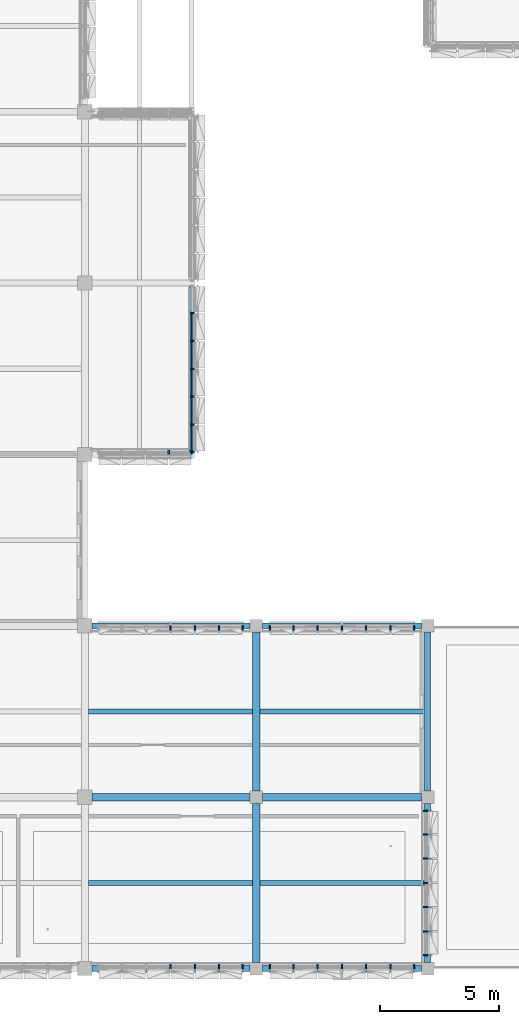
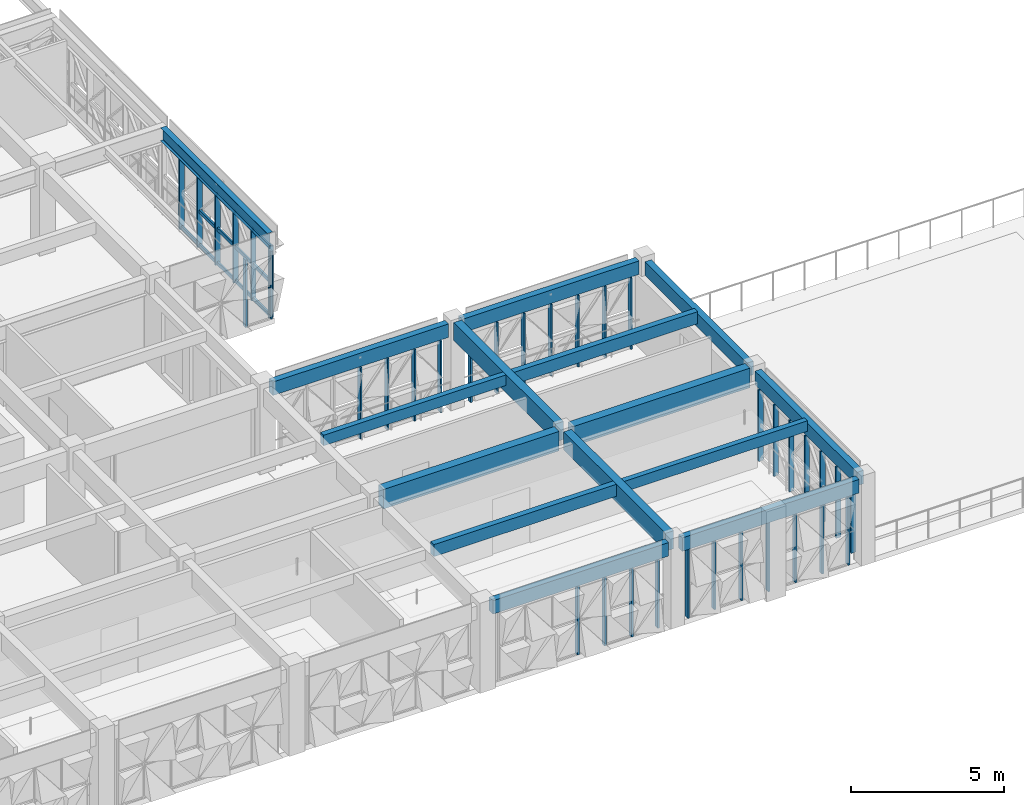
# One storey, part 4 of 99: 50 members, 15 beams, 7 elements without a shape of their own.
"""IFC4 building model written with IfcOpenShell, lengths in metres."""

import ifcopenshell
import ifcopenshell.guid

model = None  # the IFC model being written
_history = None  # IfcOwnerHistory: only IFC2X3 demands one
_inside = {}  # id of a spatial element -> (the spatial element, [elements in it])
_under = {}  # id of a project, library or spatial element -> (it, [spatial elements below it])
_declared = {}  # id of a project -> (the project, [libraries it declares])
_typed = {}  # id of a type object -> (the type object, [elements of that type])
_made_of = {}  # id of a material, layer set ... -> (it, [elements and type objects made of it])


def new_model(schema):
    """Start an empty IFC model of exactly this schema.

    Asked for "IFC4X3", IfcOpenShell would pick the latest addendum, in which some entities
    have other attributes; the version numbers below select the first issue.
    IFC2X3 requires an IfcOwnerHistory on every rooted entity: one is made here for all.
    """
    global model, _history
    if schema == "IFC4X3":
        model = ifcopenshell.file(schema_version=(4, 3, 0, 0))
    else:
        model = ifcopenshell.file(schema=schema)
    _inside.clear()
    _under.clear()
    _declared.clear()
    _typed.clear()
    _made_of.clear()
    _history = None
    if model.schema == "IFC2X3":
        org = make("IfcOrganization", Name="unknown")
        user = make(
            "IfcPersonAndOrganization",
            ThePerson=make("IfcPerson", FamilyName="unknown"),
            TheOrganization=org,
        )
        app = make(
            "IfcApplication",
            ApplicationDeveloper=org,
            Version="unknown",
            ApplicationFullName="unknown",
            ApplicationIdentifier="unknown",
        )
        _history = make(
            "IfcOwnerHistory",
            OwningUser=user,
            OwningApplication=app,
            ChangeAction="ADDED",
            CreationDate=0,
        )
    return model


def make(cls, **values):
    """One entity of the class cls with the attributes given. An attribute that is None is left unset."""
    return model.create_entity(
        cls, **{name: value for name, value in values.items() if value is not None}
    )


def rooted(cls, **values):
    """An entity with a GlobalId (a new one), such as an element, a storey or a relation."""
    return make(cls, GlobalId=ifcopenshell.guid.new(), OwnerHistory=_history, **values)


def si_unit(unit_type, name, prefix=None):
    """IfcSIUnit, for example si_unit("LENGTHUNIT", "METRE", prefix="MILLI")."""
    return make("IfcSIUnit", UnitType=unit_type, Prefix=prefix, Name=name)


def assignment(units):
    """IfcUnitAssignment: the units of a project."""
    return None if units is None else make("IfcUnitAssignment", Units=units)


def point(xyz):
    """IfcCartesianPoint."""
    return None if xyz is None else make("IfcCartesianPoint", Coordinates=xyz)


def direction(xyz):
    """IfcDirection."""
    return None if xyz is None else make("IfcDirection", DirectionRatios=xyz)


def frame(location, z_axis=None, x_axis=None):
    """IfcAxis2Placement3D, a coordinate frame: its origin and axes. An axis left out is left unset."""
    return make(
        "IfcAxis2Placement3D",
        Location=point(location),
        Axis=direction(z_axis),
        RefDirection=direction(x_axis),
    )


def frame_2d(location, x_axis=None):
    """IfcAxis2Placement2D, a coordinate frame in the plane: its origin and x axis."""
    return make(
        "IfcAxis2Placement2D", Location=point(location), RefDirection=direction(x_axis)
    )


def origin():
    """The frame at (0, 0, 0) with its axes left unset."""
    return frame((0.0, 0.0, 0.0))


def origin_2d():
    """The frame at (0, 0) in the plane with its x axis left unset."""
    return frame_2d((0.0, 0.0))


def place(relative_to, where):
    """IfcLocalPlacement: puts the frame where relative to a parent placement (None: the world)."""
    return make(
        "IfcLocalPlacement", PlacementRelTo=relative_to, RelativePlacement=where
    )


def context(
    kind, dimensions, precision=None, world=None, true_north=None, identifier=None
):
    """IfcGeometricRepresentationContext, for example the 3D "Model" context."""
    return make(
        "IfcGeometricRepresentationContext",
        ContextIdentifier=identifier,
        ContextType=kind,
        CoordinateSpaceDimension=dimensions,
        Precision=precision,
        WorldCoordinateSystem=world,
        TrueNorth=true_north,
    )


def subcontext(parent, identifier, kind, view, scale=None):
    """IfcGeometricRepresentationSubContext, for example "Body" below "Model"."""
    return make(
        "IfcGeometricRepresentationSubContext",
        ContextIdentifier=identifier,
        ContextType=kind,
        ParentContext=parent,
        TargetScale=scale,
        TargetView=view,
    )


def project(units=None, contexts=None):
    """IfcProject with its units and contexts."""
    return rooted(
        "IfcProject",
        Name="project",
        RepresentationContexts=contexts,
        UnitsInContext=assignment(units),
    )


def spatial(cls, under=None, at=None, **own):
    """A site, building, storey or space (cls), placed at a placement, below another one or the project."""
    s = rooted(cls, ObjectPlacement=at, **own)
    if under is not None:
        _under.setdefault(under.id(), (under, []))[1].append(s)
    return s


def profile(cls, at=None, kind="AREA", **sizes):
    """A parametric profile (cls). Its sizes go by their IFC names, for example OverallWidth=200.0."""
    return make(cls, ProfileType=kind, Position=at, **sizes)


def rectangle(**sizes):
    """IfcRectangleProfileDef."""
    return profile("IfcRectangleProfileDef", **sizes)


def i_section(**sizes):
    """IfcIShapeProfileDef."""
    return profile("IfcIShapeProfileDef", **sizes)


def extrude(swept, where, along, depth):
    """IfcExtrudedAreaSolid: the profile swept, set in the frame where, extruded along a direction by depth."""
    return make(
        "IfcExtrudedAreaSolid",
        SweptArea=swept,
        Position=where,
        ExtrudedDirection=direction(along),
        Depth=depth,
    )


def shape(context_of_items, identifier, shape_type, items):
    """IfcShapeRepresentation: the items that make up one representation, for example the "Body"."""
    return make(
        "IfcShapeRepresentation",
        ContextOfItems=context_of_items,
        RepresentationIdentifier=identifier,
        RepresentationType=shape_type,
        Items=items,
    )


def material(Name=None, Category=None):
    """IfcMaterial."""
    return make("IfcMaterial", Name=Name, Category=Category)


def material_profile(
    of_material, cross_section, Name=None, Category=None, Priority=None
):
    """IfcMaterialProfile: a cross section and its material."""
    return make(
        "IfcMaterialProfile",
        Name=Name,
        Material=of_material,
        Profile=cross_section,
        Priority=Priority,
        Category=Category,
    )


def profile_set(profiles, Name=None, composite=None):
    """IfcMaterialProfileSet."""
    return make(
        "IfcMaterialProfileSet",
        Name=Name,
        MaterialProfiles=profiles,
        CompositeProfile=composite,
    )


def made_of(thing, what):
    """Note that an element or type object is made of a material, layer set ...; save() writes the relation."""
    if what is not None:
        _made_of.setdefault(what.id(), (what, []))[1].append(thing)
    return thing


def type_object(cls, material=None, **own):
    """A type object (cls), such as IfcWallType, which elements share."""
    return made_of(rooted(cls, **own), material)


def element(
    cls,
    number,
    at=None,
    inside=None,
    cuts=None,
    type_object=None,
    material=None,
    context=None,
    identifier="Body",
    shape_type=None,
    held_by="IfcProductDefinitionShape",
    body=None,
    shapes=None,
    **own,
):
    """One element of the class cls, such as IfcWall. Its Tag is "e" and its number.

    at: its placement. inside: the storey or other place that contains it. cuts: it is an
    opening in that element (IfcRelVoidsElement). A single representation is given by context,
    identifier, shape_type and body (its items); several are given by shapes. held_by: the class
    of the entity that holds the representations. save() writes the other relations.
    """
    e = rooted(cls, Tag="e%d" % number, ObjectPlacement=at, **own)
    if body is not None:
        shapes = [shape(context, identifier, shape_type, body)]
    if shapes is not None:
        e.Representation = make(held_by, Representations=shapes)
    if inside is not None:
        _inside.setdefault(inside.id(), (inside, []))[1].append(e)
    if cuts is not None:
        rooted(
            "IfcRelVoidsElement", RelatingBuildingElement=cuts, RelatedOpeningElement=e
        )
    if type_object is not None:
        _typed.setdefault(type_object.id(), (type_object, []))[1].append(e)
    return made_of(e, material)


def aggregate(whole, parts):
    """IfcRelAggregates: a whole, such as a stair, and the parts it consists of."""
    return rooted("IfcRelAggregates", RelatingObject=whole, RelatedObjects=parts)


def save(model, path):
    """Write the relations noted so far, then the file.

    IfcRelAggregates (storeys below a building ...), IfcRelContainedInSpatialStructure (elements
    in a storey), IfcRelDefinesByType, IfcRelAssociatesMaterial and IfcRelDeclares: one each for
    every whole, place, type object, material and project.
    """
    for whole, parts in _under.values():
        aggregate(whole, parts)
    for where, things in _inside.values():
        rooted(
            "IfcRelContainedInSpatialStructure",
            RelatedElements=things,
            RelatingStructure=where,
        )
    for kind, things in _typed.values():
        rooted("IfcRelDefinesByType", RelatedObjects=things, RelatingType=kind)
    for what, things in _made_of.values():
        rooted("IfcRelAssociatesMaterial", RelatedObjects=things, RelatingMaterial=what)
    for by, libraries in _declared.values():
        rooted("IfcRelDeclares", RelatingContext=by, RelatedDefinitions=libraries)
    model.write(path)


model = new_model("IFC4")

# Units and contexts
model_context = context("Model", 3, precision=1e-05, world=origin(), true_north=direction((0.0, 1.0)))
body_context = subcontext(model_context, "Body", "Model", "MODEL_VIEW")
ifc_project = project(units=[si_unit("LENGTHUNIT", "METRE"), si_unit("AREAUNIT", "SQUARE_METRE"), si_unit("VOLUMEUNIT", "CUBIC_METRE"), si_unit("PLANEANGLEUNIT", "RADIAN"), si_unit("MASSUNIT", "GRAM", prefix="KILO")], contexts=[model_context])

# Site, building, storey
site_placement = place(None, origin())
site = spatial("IfcSite", under=ifc_project, at=site_placement, CompositionType="ELEMENT")
building_placement = place(site_placement, origin())
building = spatial("IfcBuilding", under=site, at=building_placement, Name="Alvorim Cloister Faculty of Sciences", CompositionType="ELEMENT")
storey_placement = place(building_placement, frame((0.0, 0.0, 12.14990234375)))
storey = spatial("IfcBuildingStorey", under=building, at=storey_placement, Name="L03", CompositionType="ELEMENT", Elevation=12.14990234375)

# Beams
ifc_material_1 = material(Name="Glulam GL32h", Category="wood")
ifc_material_profile_1 = material_profile(ifc_material_1, rectangle(XDim=0.300048828125, YDim=0.719970703125, at=origin_2d()), Name="GL32-BM-300x720")
ifc_profile_set_1 = profile_set([ifc_material_profile_1], Name="Glulam GL32h")
beam_type_1 = type_object("IfcBeamType", Name="BM-GL-300x720", PredefinedType="BEAM", material=ifc_profile_set_1)
for number, where, z_axis, x_axis, name in (
    (1, (36.0, 0.260009765625, 3.130126953125), (0.0, 1.0, 0.0), (-1.0, 0.0, 0.0), "L03 Primary Girder BM-1642"),
    (2, (36.0, 7.4599609375, 3.130126953125), (0.0, 1.0, 0.0), (-1.0, 0.0, 0.0), "L03 Primary Girder BM-1643"),
):
    element("IfcBeam", number, at=place(storey_placement, frame(where, z_axis=z_axis, x_axis=x_axis)), inside=storey, type_object=beam_type_1, Name=name, PredefinedType="BEAM", context=body_context, shape_type="SweptSolid", body=[
        extrude(rectangle(XDim=0.300048828125, YDim=0.719970703125, at=origin_2d()), origin(), (0.0, 0.0, 1.0), 6.679931640625),
    ])
ifc_material_profile_2 = material_profile(ifc_material_1, rectangle(XDim=0.320068359375, YDim=0.780029296875, at=origin_2d()), Name="GL32-BM-320x780")
ifc_profile_set_2 = profile_set([ifc_material_profile_2], Name="Glulam GL32h")
beam_type_2 = type_object("IfcBeamType", Name="BM-GL-320x780", PredefinedType="BEAM", material=ifc_profile_set_2)
beam_1_placement = place(storey_placement, frame((29.10009765625, 7.199951171875, 3.10009765625), z_axis=(1.0, 0.0, 0.0), x_axis=(0.0, 1.0, 0.0)))
element("IfcBeam", 3, at=beam_1_placement, inside=storey, type_object=beam_type_2, Name="L03 Primary Beam BM-1517", PredefinedType="BEAM", context=body_context, shape_type="SweptSolid", body=[
    extrude(rectangle(XDim=0.320068359375, YDim=0.780029296875, at=origin_2d()), origin(), (0.0, 0.0, 1.0), 6.639892578125),
])
beam_2_placement = place(storey_placement, frame((36.260009765625, 7.199951171875, 3.10009765625), z_axis=(1.0, 0.0, 0.0), x_axis=(0.0, 1.0, 0.0)))
element("IfcBeam", 4, at=beam_2_placement, inside=storey, type_object=beam_type_2, Name="L03 Primary Beam BM-1518", PredefinedType="BEAM", context=body_context, shape_type="SweptSolid", body=[
    extrude(rectangle(XDim=0.320068359375, YDim=0.780029296875, at=origin_2d()), origin(), (0.0, 0.0, 1.0), 6.679931640625),
])
ifc_material_2 = material(Name="Glulam GL28h", Category="wood")
ifc_material_profile_3 = material_profile(ifc_material_2, rectangle(XDim=0.199951171875, YDim=0.419921875, at=origin_2d()), Name="GL28-JST-200x420")
ifc_profile_set_3 = profile_set([ifc_material_profile_3], Name="Glulam GL28h")
beam_type_3 = type_object("IfcBeamType", Name="BM-JST-GL-200x420", PredefinedType="JOIST", material=ifc_profile_set_3)
beam_3_placement = place(storey_placement, frame((28.949951171875, 10.800048828125, 3.280029296875), z_axis=(1.0, 0.0, 0.0), x_axis=(0.0, 1.0, 0.0)))
element("IfcBeam", 5, at=beam_3_placement, inside=storey, type_object=beam_type_3, Name="L03 Secondary Floor Joist BM-1709", PredefinedType="JOIST", context=body_context, shape_type="SweptSolid", body=[
    extrude(rectangle(XDim=0.199951171875, YDim=0.419921875, at=origin_2d()), origin(), (0.0, 0.0, 1.0), 6.900146484375),
])
beam_4_placement = place(storey_placement, frame((36.14990234375, 3.60009765625, 3.280029296875), z_axis=(1.0, 0.0, 0.0), x_axis=(0.0, 1.0, 0.0)))
element("IfcBeam", 6, at=beam_4_placement, inside=storey, type_object=beam_type_3, Name="L03 Secondary Floor Joist BM-1712", PredefinedType="JOIST", context=body_context, shape_type="SweptSolid", body=[
    extrude(rectangle(XDim=0.199951171875, YDim=0.419921875, at=origin_2d()), origin(), (0.0, 0.0, 1.0), 6.93017578125),
])
ifc_material_profile_4 = material_profile(ifc_material_2, rectangle(XDim=0.219970703125, YDim=0.47998046875, at=origin_2d()), Name="GL28-JST-220x480")
ifc_profile_set_4 = profile_set([ifc_material_profile_4], Name="Glulam GL28h")
beam_type_4 = type_object("IfcBeamType", Name="BM-JST-GL-220x480", PredefinedType="JOIST", material=ifc_profile_set_4)
beam_5_placement = place(storey_placement, frame((28.949951171875, 3.60009765625, 3.25), z_axis=(1.0, 0.0, 0.0), x_axis=(0.0, 1.0, 0.0)))
element("IfcBeam", 7, at=beam_5_placement, inside=storey, type_object=beam_type_4, Name="L03 Secondary Floor Joist BM-1708", PredefinedType="JOIST", context=body_context, shape_type="SweptSolid", body=[
    extrude(rectangle(XDim=0.219970703125, YDim=0.47998046875, at=origin_2d()), origin(), (0.0, 0.0, 1.0), 6.900146484375),
])
beam_6_placement = place(storey_placement, frame((36.14990234375, 10.800048828125, 3.25), z_axis=(1.0, 0.0, 0.0), x_axis=(0.0, 1.0, 0.0)))
element("IfcBeam", 8, at=beam_6_placement, inside=storey, type_object=beam_type_4, Name="L03 Secondary Floor Joist BM-1713", PredefinedType="JOIST", context=body_context, shape_type="SweptSolid", body=[
    extrude(rectangle(XDim=0.219970703125, YDim=0.47998046875, at=origin_2d()), origin(), (0.0, 0.0, 1.0), 6.93017578125),
])
ifc_material_profile_5 = material_profile(ifc_material_2, rectangle(XDim=0.239990234375, YDim=0.5400390625, at=origin_2d()), Name="GL28-SPD-240x540")
ifc_profile_set_5 = profile_set([ifc_material_profile_5], Name="Glulam GL28h")
beam_type_5 = type_object("IfcBeamType", Name="BM-SPD-GL-240x540", PredefinedType="SPANDREL", material=ifc_profile_set_5)
beam_7_placement = place(storey_placement, frame((29.10009765625, 0.0, 3.1201171875), z_axis=(1.0, 0.0, 0.0), x_axis=(0.0, 1.0, 0.0)))
element("IfcBeam", 9, at=beam_7_placement, inside=storey, type_object=beam_type_5, Name="L03 Primary Beam BM-1504", PredefinedType="SPANDREL", context=body_context, shape_type="SweptSolid", body=[
    extrude(rectangle(XDim=0.239990234375, YDim=0.5400390625, at=origin_2d()), origin(), (0.0, 0.0, 1.0), 6.639892578125),
])
beam_8_placement = place(storey_placement, frame((36.260009765625, 0.0, 3.1201171875), z_axis=(1.0, 0.0, 0.0), x_axis=(0.0, 1.0, 0.0)))
element("IfcBeam", 10, at=beam_8_placement, inside=storey, type_object=beam_type_5, Name="L03 Primary Beam BM-1505", PredefinedType="SPANDREL", context=body_context, shape_type="SweptSolid", body=[
    extrude(rectangle(XDim=0.239990234375, YDim=0.5400390625, at=origin_2d()), origin(), (0.0, 0.0, 1.0), 6.679931640625),
])
beam_9_placement = place(storey_placement, frame((29.10009765625, 14.39990234375, 3.1201171875), z_axis=(1.0, 0.0, 0.0), x_axis=(0.0, 1.0, 0.0)))
element("IfcBeam", 11, at=beam_9_placement, inside=storey, type_object=beam_type_5, Name="L03 Primary Beam BM-1525", PredefinedType="SPANDREL", context=body_context, shape_type="SweptSolid", body=[
    extrude(rectangle(XDim=0.239990234375, YDim=0.5400390625, at=origin_2d()), origin(), (0.0, 0.0, 1.0), 6.639892578125),
])
for number, where, z_axis, x_axis, name in (
    (12, (36.260009765625, 14.39990234375, 3.1201171875), (1.0, 0.0, 0.0), (0.0, 1.0, 0.0), "L03 Primary Beam BM-1526"),
    (13, (43.199951171875, 0.260009765625, 3.1201171875), (0.0, 1.0, 0.0), (-1.0, 0.0, 0.0), "L03 Primary Girder BM-1646"),
    (14, (43.199951171875, 7.4599609375, 3.1201171875), (0.0, 1.0, 0.0), (-1.0, 0.0, 0.0), "L03 Primary Girder BM-1647"),
):
    element("IfcBeam", number, at=place(storey_placement, frame(where, z_axis=z_axis, x_axis=x_axis)), inside=storey, type_object=beam_type_5, Name=name, PredefinedType="SPANDREL", context=body_context, shape_type="SweptSolid", body=[
        extrude(rectangle(XDim=0.239990234375, YDim=0.5400390625, at=origin_2d()), origin(), (0.0, 0.0, 1.0), 6.679931640625),
    ])
ifc_material_3 = material(Name="Steel ASTM A572 Grade 50", Category="steel")
ifc_material_profile_6 = material_profile(ifc_material_3, i_section(OverallWidth=0.208984375, OverallDepth=0.532958984375, WebThickness=0.01025390625, FlangeThickness=0.015625, FilletRadius=0.01611328125, at=origin_2d()), Name="W530x92.0")
ifc_profile_set_6 = profile_set([ifc_material_profile_6], Name="Steel ASTM A572 Grade 50")
beam_type_6 = type_object("IfcBeamType", Name="BM-STL-W530", PredefinedType="BEAM", material=ifc_profile_set_6)
beam_10_placement = place(storey_placement, frame((33.280029296875, 21.7099609375, 3.12353515625), z_axis=(0.0, 1.0, 0.0), x_axis=(-1.0, 0.0, 0.0)))
element("IfcBeam", 15, at=beam_10_placement, inside=storey, type_object=beam_type_6, Name="L03 Cantilever Tip Header Girder BM-0027", PredefinedType="BEAM", context=body_context, shape_type="SweptSolid", body=[
    extrude(i_section(OverallWidth=0.208984375, OverallDepth=0.532958984375, WebThickness=0.01025390625, FlangeThickness=0.015625, FilletRadius=0.01611328125, at=origin_2d()), origin(), (0.0, 0.0, 1.0), 6.97998046875),
])

# Curtain wall, members
ifc_material_4 = material(Name="Aluminium and Low-E Glass Curtain Wall", Category="aluminium")
curtain_wall_type_1 = type_object("IfcCurtainWallType", Name="CW-TRI-7040x2857", PredefinedType="USERDEFINED", material=ifc_material_4)
curtain_wall_1_placement = place(storey_placement, origin())
curtain_wall_1 = element("IfcCurtainWall", 16, at=curtain_wall_1_placement, inside=storey, type_object=curtain_wall_type_1, Name="L03 Diagonal Cassette Curtain Wall CW-0142", ObjectType="UNITISED CURTAIN WALL", PredefinedType="USERDEFINED")
ifc_material_5 = material(Name="Aluminium Alloy 6063-T6", Category="aluminium")
ifc_material_profile_7 = material_profile(ifc_material_5, rectangle(XDim=0.06494140625, YDim=0.179931640625, at=origin_2d()), Name="ALU-MUL-65x180")
ifc_profile_set_7 = profile_set([ifc_material_profile_7], Name="Aluminium Alloy 6063-T6")
member_type_1 = type_object("IfcMemberType", Name="CW-MUL-65x180", PredefinedType="MULLION", material=ifc_profile_set_7)
member_1_placement = place(storey_placement, frame((33.31005859375, 21.71240234375, 0.0), z_axis=(0.0, 0.0, 1.0), x_axis=(0.0, 1.0, 0.0)))
member_1 = element("IfcMember", 17, at=member_1_placement, type_object=member_type_1, Name="CW-0142 Mullion 1", PredefinedType="MULLION", context=body_context, shape_type="SweptSolid", body=[
    extrude(rectangle(XDim=0.06494140625, YDim=0.179931640625, at=origin_2d()), origin(), (0.0, 0.0, 1.0), 2.857177734375),
])
member_2_placement = place(storey_placement, frame((33.31005859375, 22.853271484375, 0.0), z_axis=(0.0, 0.0, 1.0), x_axis=(0.0, 1.0, 0.0)))
member_2 = element("IfcMember", 18, at=member_2_placement, type_object=member_type_1, Name="CW-0142 Mullion 2", PredefinedType="MULLION", context=body_context, shape_type="SweptSolid", body=[
    extrude(rectangle(XDim=0.06494140625, YDim=0.179931640625, at=origin_2d()), origin(), (0.0, 0.0, 1.0), 2.857177734375),
])
member_3_placement = place(storey_placement, frame((33.31005859375, 24.026611328125, 0.0), z_axis=(0.0, 0.0, 1.0), x_axis=(0.0, 1.0, 0.0)))
member_3 = element("IfcMember", 19, at=member_3_placement, type_object=member_type_1, Name="CW-0142 Mullion 3", PredefinedType="MULLION", context=body_context, shape_type="SweptSolid", body=[
    extrude(rectangle(XDim=0.06494140625, YDim=0.179931640625, at=origin_2d()), origin(), (0.0, 0.0, 1.0), 2.857177734375),
])
member_4_placement = place(storey_placement, frame((33.31005859375, 25.199951171875, 0.0), z_axis=(0.0, 0.0, 1.0), x_axis=(0.0, 1.0, 0.0)))
member_4 = element("IfcMember", 20, at=member_4_placement, type_object=member_type_1, Name="CW-0142 Mullion 4", PredefinedType="MULLION", context=body_context, shape_type="SweptSolid", body=[
    extrude(rectangle(XDim=0.06494140625, YDim=0.179931640625, at=origin_2d()), origin(), (0.0, 0.0, 1.0), 2.857177734375),
])
member_5_placement = place(storey_placement, frame((33.31005859375, 26.373291015625, 0.0), z_axis=(0.0, 0.0, 1.0), x_axis=(0.0, 1.0, 0.0)))
member_5 = element("IfcMember", 21, at=member_5_placement, type_object=member_type_1, Name="CW-0142 Mullion 5", PredefinedType="MULLION", context=body_context, shape_type="SweptSolid", body=[
    extrude(rectangle(XDim=0.06494140625, YDim=0.179931640625, at=origin_2d()), origin(), (0.0, 0.0, 1.0), 2.857177734375),
])
member_6_placement = place(storey_placement, frame((33.31005859375, 27.546630859375, 0.0), z_axis=(0.0, 0.0, 1.0), x_axis=(0.0, 1.0, 0.0)))
member_6 = element("IfcMember", 22, at=member_6_placement, type_object=member_type_1, Name="CW-0142 Mullion 6", PredefinedType="MULLION", context=body_context, shape_type="SweptSolid", body=[
    extrude(rectangle(XDim=0.06494140625, YDim=0.179931640625, at=origin_2d()), origin(), (0.0, 0.0, 1.0), 2.857177734375),
])

curtain_wall_type_2 = type_object("IfcCurtainWallType", Name="CW-TRI-3980x2706", PredefinedType="USERDEFINED", material=ifc_material_4)
curtain_wall_2_placement = place(storey_placement, origin())
curtain_wall_2 = element("IfcCurtainWall", 23, at=curtain_wall_2_placement, inside=storey, type_object=curtain_wall_type_2, Name="L03 Diagonal Cassette Curtain Wall CW-0143", ObjectType="UNITISED CURTAIN WALL", PredefinedType="USERDEFINED")
member_7_placement = place(storey_placement, frame((32.324951171875, 21.68994140625, 0.0), z_axis=(0.0, 0.0, 1.0), x_axis=(1.0, 0.0, 0.0)))
member_7 = element("IfcMember", 24, at=member_7_placement, type_object=member_type_1, Name="CW-0143 Mullion 4", PredefinedType="MULLION", context=body_context, shape_type="SweptSolid", body=[
    extrude(rectangle(XDim=0.06494140625, YDim=0.179931640625, at=origin_2d()), origin(), (0.0, 0.0, 1.0), 2.7060546875),
])
member_8_placement = place(storey_placement, frame((33.28759765625, 21.68994140625, 0.0), z_axis=(0.0, 0.0, 1.0), x_axis=(1.0, 0.0, 0.0)))
member_8 = element("IfcMember", 25, at=member_8_placement, type_object=member_type_1, Name="CW-0143 Mullion 5", PredefinedType="MULLION", context=body_context, shape_type="SweptSolid", body=[
    extrude(rectangle(XDim=0.06494140625, YDim=0.179931640625, at=origin_2d()), origin(), (0.0, 0.0, 1.0), 2.7060546875),
])
aggregate(curtain_wall_2, [member_7, member_8])

curtain_wall_type_3 = type_object("IfcCurtainWallType", Name="CW-TRI-6120x2850", PredefinedType="USERDEFINED", material=ifc_material_4)
curtain_wall_3_placement = place(storey_placement, origin())
curtain_wall_3 = element("IfcCurtainWall", 26, at=curtain_wall_3_placement, inside=storey, type_object=curtain_wall_type_3, Name="L03 Diagonal Cassette Curtain Wall CW-0144", ObjectType="UNITISED CURTAIN WALL", PredefinedType="USERDEFINED")
member_9_placement = place(storey_placement, frame((32.39990234375, 14.31005859375, 0.0), z_axis=(0.0, 0.0, 1.0), x_axis=(1.0, 0.0, 0.0)))
member_9 = element("IfcMember", 27, at=member_9_placement, type_object=member_type_1, Name="CW-0144 Mullion 4", PredefinedType="MULLION", context=body_context, shape_type="SweptSolid", body=[
    extrude(rectangle(XDim=0.06494140625, YDim=0.179931640625, at=origin_2d()), origin(), (0.0, 0.0, 1.0), 2.85009765625),
])
member_10_placement = place(storey_placement, frame((33.419921875, 14.31005859375, 0.0), z_axis=(0.0, 0.0, 1.0), x_axis=(1.0, 0.0, 0.0)))
member_10 = element("IfcMember", 28, at=member_10_placement, type_object=member_type_1, Name="CW-0144 Mullion 5", PredefinedType="MULLION", context=body_context, shape_type="SweptSolid", body=[
    extrude(rectangle(XDim=0.06494140625, YDim=0.179931640625, at=origin_2d()), origin(), (0.0, 0.0, 1.0), 2.85009765625),
])
member_11_placement = place(storey_placement, frame((34.43994140625, 14.31005859375, 0.0), z_axis=(0.0, 0.0, 1.0), x_axis=(1.0, 0.0, 0.0)))
member_11 = element("IfcMember", 29, at=member_11_placement, type_object=member_type_1, Name="CW-0144 Mullion 6", PredefinedType="MULLION", context=body_context, shape_type="SweptSolid", body=[
    extrude(rectangle(XDim=0.06494140625, YDim=0.179931640625, at=origin_2d()), origin(), (0.0, 0.0, 1.0), 2.85009765625),
])
member_12_placement = place(storey_placement, frame((35.427490234375, 14.31005859375, 0.0), z_axis=(0.0, 0.0, 1.0), x_axis=(1.0, 0.0, 0.0)))
member_12 = element("IfcMember", 30, at=member_12_placement, type_object=member_type_1, Name="CW-0144 Mullion 7", PredefinedType="MULLION", context=body_context, shape_type="SweptSolid", body=[
    extrude(rectangle(XDim=0.06494140625, YDim=0.179931640625, at=origin_2d()), origin(), (0.0, 0.0, 1.0), 2.85009765625),
])
aggregate(curtain_wall_3, [member_9, member_10, member_11, member_12])

curtain_wall_4_placement = place(storey_placement, origin())
curtain_wall_4 = element("IfcCurtainWall", 31, at=curtain_wall_4_placement, inside=storey, type_object=curtain_wall_type_3, Name="L03 Diagonal Cassette Curtain Wall CW-0145", ObjectType="UNITISED CURTAIN WALL", PredefinedType="USERDEFINED")
member_13_placement = place(storey_placement, frame((36.572509765625, 14.31005859375, 0.0), z_axis=(0.0, 0.0, 1.0), x_axis=(1.0, 0.0, 0.0)))
member_13 = element("IfcMember", 32, at=member_13_placement, type_object=member_type_1, Name="CW-0145 Mullion 1", PredefinedType="MULLION", context=body_context, shape_type="SweptSolid", body=[
    extrude(rectangle(XDim=0.06494140625, YDim=0.179931640625, at=origin_2d()), origin(), (0.0, 0.0, 1.0), 2.85009765625),
])
member_14_placement = place(storey_placement, frame((37.56005859375, 14.31005859375, 0.0), z_axis=(0.0, 0.0, 1.0), x_axis=(1.0, 0.0, 0.0)))
member_14 = element("IfcMember", 33, at=member_14_placement, type_object=member_type_1, Name="CW-0145 Mullion 2", PredefinedType="MULLION", context=body_context, shape_type="SweptSolid", body=[
    extrude(rectangle(XDim=0.06494140625, YDim=0.179931640625, at=origin_2d()), origin(), (0.0, 0.0, 1.0), 2.85009765625),
])
member_15_placement = place(storey_placement, frame((38.580078125, 14.31005859375, 0.0), z_axis=(0.0, 0.0, 1.0), x_axis=(1.0, 0.0, 0.0)))
member_15 = element("IfcMember", 34, at=member_15_placement, type_object=member_type_1, Name="CW-0145 Mullion 3", PredefinedType="MULLION", context=body_context, shape_type="SweptSolid", body=[
    extrude(rectangle(XDim=0.06494140625, YDim=0.179931640625, at=origin_2d()), origin(), (0.0, 0.0, 1.0), 2.85009765625),
])
member_16_placement = place(storey_placement, frame((39.60009765625, 14.31005859375, 0.0), z_axis=(0.0, 0.0, 1.0), x_axis=(1.0, 0.0, 0.0)))
member_16 = element("IfcMember", 35, at=member_16_placement, type_object=member_type_1, Name="CW-0145 Mullion 4", PredefinedType="MULLION", context=body_context, shape_type="SweptSolid", body=[
    extrude(rectangle(XDim=0.06494140625, YDim=0.179931640625, at=origin_2d()), origin(), (0.0, 0.0, 1.0), 2.85009765625),
])
member_17_placement = place(storey_placement, frame((40.6201171875, 14.31005859375, 0.0), z_axis=(0.0, 0.0, 1.0), x_axis=(1.0, 0.0, 0.0)))
member_17 = element("IfcMember", 36, at=member_17_placement, type_object=member_type_1, Name="CW-0145 Mullion 5", PredefinedType="MULLION", context=body_context, shape_type="SweptSolid", body=[
    extrude(rectangle(XDim=0.06494140625, YDim=0.179931640625, at=origin_2d()), origin(), (0.0, 0.0, 1.0), 2.85009765625),
])
member_18_placement = place(storey_placement, frame((41.639892578125, 14.31005859375, 0.0), z_axis=(0.0, 0.0, 1.0), x_axis=(1.0, 0.0, 0.0)))
member_18 = element("IfcMember", 37, at=member_18_placement, type_object=member_type_1, Name="CW-0145 Mullion 6", PredefinedType="MULLION", context=body_context, shape_type="SweptSolid", body=[
    extrude(rectangle(XDim=0.06494140625, YDim=0.179931640625, at=origin_2d()), origin(), (0.0, 0.0, 1.0), 2.85009765625),
])
member_19_placement = place(storey_placement, frame((42.62744140625, 14.31005859375, 0.0), z_axis=(0.0, 0.0, 1.0), x_axis=(1.0, 0.0, 0.0)))
member_19 = element("IfcMember", 38, at=member_19_placement, type_object=member_type_1, Name="CW-0145 Mullion 7", PredefinedType="MULLION", context=body_context, shape_type="SweptSolid", body=[
    extrude(rectangle(XDim=0.06494140625, YDim=0.179931640625, at=origin_2d()), origin(), (0.0, 0.0, 1.0), 2.85009765625),
])
aggregate(curtain_wall_4, [member_13, member_14, member_15, member_16, member_17, member_18, member_19])

curtain_wall_5_placement = place(storey_placement, origin())
curtain_wall_5 = element("IfcCurtainWall", 39, at=curtain_wall_5_placement, inside=storey, type_object=curtain_wall_type_3, Name="L03 Diagonal Cassette Curtain Wall CW-0146", ObjectType="UNITISED CURTAIN WALL", PredefinedType="USERDEFINED")
member_20_placement = place(storey_placement, frame((43.110107421875, 0.572509765625, 0.0), z_axis=(0.0, 0.0, 1.0), x_axis=(0.0, 1.0, 0.0)))
member_20 = element("IfcMember", 40, at=member_20_placement, type_object=member_type_1, Name="CW-0146 Mullion 1", PredefinedType="MULLION", context=body_context, shape_type="SweptSolid", body=[
    extrude(rectangle(XDim=0.06494140625, YDim=0.179931640625, at=origin_2d()), origin(), (0.0, 0.0, 1.0), 2.85009765625),
])
member_21_placement = place(storey_placement, frame((43.110107421875, 1.56005859375, 0.0), z_axis=(0.0, 0.0, 1.0), x_axis=(0.0, 1.0, 0.0)))
member_21 = element("IfcMember", 41, at=member_21_placement, type_object=member_type_1, Name="CW-0146 Mullion 2", PredefinedType="MULLION", context=body_context, shape_type="SweptSolid", body=[
    extrude(rectangle(XDim=0.06494140625, YDim=0.179931640625, at=origin_2d()), origin(), (0.0, 0.0, 1.0), 2.85009765625),
])
member_22_placement = place(storey_placement, frame((43.110107421875, 2.580078125, 0.0), z_axis=(0.0, 0.0, 1.0), x_axis=(0.0, 1.0, 0.0)))
member_22 = element("IfcMember", 42, at=member_22_placement, type_object=member_type_1, Name="CW-0146 Mullion 3", PredefinedType="MULLION", context=body_context, shape_type="SweptSolid", body=[
    extrude(rectangle(XDim=0.06494140625, YDim=0.179931640625, at=origin_2d()), origin(), (0.0, 0.0, 1.0), 2.85009765625),
])
member_23_placement = place(storey_placement, frame((43.110107421875, 3.60009765625, 0.0), z_axis=(0.0, 0.0, 1.0), x_axis=(0.0, 1.0, 0.0)))
member_23 = element("IfcMember", 43, at=member_23_placement, type_object=member_type_1, Name="CW-0146 Mullion 4", PredefinedType="MULLION", context=body_context, shape_type="SweptSolid", body=[
    extrude(rectangle(XDim=0.06494140625, YDim=0.179931640625, at=origin_2d()), origin(), (0.0, 0.0, 1.0), 2.85009765625),
])
member_24_placement = place(storey_placement, frame((43.110107421875, 4.6201171875, 0.0), z_axis=(0.0, 0.0, 1.0), x_axis=(0.0, 1.0, 0.0)))
member_24 = element("IfcMember", 44, at=member_24_placement, type_object=member_type_1, Name="CW-0146 Mullion 5", PredefinedType="MULLION", context=body_context, shape_type="SweptSolid", body=[
    extrude(rectangle(XDim=0.06494140625, YDim=0.179931640625, at=origin_2d()), origin(), (0.0, 0.0, 1.0), 2.85009765625),
])
member_25_placement = place(storey_placement, frame((43.110107421875, 5.639892578125, 0.0), z_axis=(0.0, 0.0, 1.0), x_axis=(0.0, 1.0, 0.0)))
member_25 = element("IfcMember", 45, at=member_25_placement, type_object=member_type_1, Name="CW-0146 Mullion 6", PredefinedType="MULLION", context=body_context, shape_type="SweptSolid", body=[
    extrude(rectangle(XDim=0.06494140625, YDim=0.179931640625, at=origin_2d()), origin(), (0.0, 0.0, 1.0), 2.85009765625),
])
member_26_placement = place(storey_placement, frame((43.110107421875, 6.62744140625, 0.0), z_axis=(0.0, 0.0, 1.0), x_axis=(0.0, 1.0, 0.0)))
member_26 = element("IfcMember", 46, at=member_26_placement, type_object=member_type_1, Name="CW-0146 Mullion 7", PredefinedType="MULLION", context=body_context, shape_type="SweptSolid", body=[
    extrude(rectangle(XDim=0.06494140625, YDim=0.179931640625, at=origin_2d()), origin(), (0.0, 0.0, 1.0), 2.85009765625),
])
aggregate(curtain_wall_5, [member_20, member_21, member_22, member_23, member_24, member_25, member_26])

curtain_wall_6_placement = place(storey_placement, origin())
curtain_wall_6 = element("IfcCurtainWall", 47, at=curtain_wall_6_placement, inside=storey, type_object=curtain_wall_type_3, Name="L03 Diagonal Cassette Curtain Wall CW-0147", ObjectType="UNITISED CURTAIN WALL", PredefinedType="USERDEFINED")
member_27_placement = place(storey_placement, frame((36.572509765625, 0.090087890625, 0.0), z_axis=(0.0, 0.0, 1.0), x_axis=(1.0, 0.0, 0.0)))
member_27 = element("IfcMember", 48, at=member_27_placement, type_object=member_type_1, Name="CW-0147 Mullion 1", PredefinedType="MULLION", context=body_context, shape_type="SweptSolid", body=[
    extrude(rectangle(XDim=0.06494140625, YDim=0.179931640625, at=origin_2d()), origin(), (0.0, 0.0, 1.0), 2.85009765625),
])
member_28_placement = place(storey_placement, frame((37.56005859375, 0.090087890625, 0.0), z_axis=(0.0, 0.0, 1.0), x_axis=(1.0, 0.0, 0.0)))
member_28 = element("IfcMember", 49, at=member_28_placement, type_object=member_type_1, Name="CW-0147 Mullion 2", PredefinedType="MULLION", context=body_context, shape_type="SweptSolid", body=[
    extrude(rectangle(XDim=0.06494140625, YDim=0.179931640625, at=origin_2d()), origin(), (0.0, 0.0, 1.0), 2.85009765625),
])
member_29_placement = place(storey_placement, frame((38.580078125, 0.090087890625, 0.0), z_axis=(0.0, 0.0, 1.0), x_axis=(1.0, 0.0, 0.0)))
member_29 = element("IfcMember", 50, at=member_29_placement, type_object=member_type_1, Name="CW-0147 Mullion 3", PredefinedType="MULLION", context=body_context, shape_type="SweptSolid", body=[
    extrude(rectangle(XDim=0.06494140625, YDim=0.179931640625, at=origin_2d()), origin(), (0.0, 0.0, 1.0), 2.85009765625),
])
member_30_placement = place(storey_placement, frame((39.60009765625, 0.090087890625, 0.0), z_axis=(0.0, 0.0, 1.0), x_axis=(1.0, 0.0, 0.0)))
member_30 = element("IfcMember", 51, at=member_30_placement, type_object=member_type_1, Name="CW-0147 Mullion 4", PredefinedType="MULLION", context=body_context, shape_type="SweptSolid", body=[
    extrude(rectangle(XDim=0.06494140625, YDim=0.179931640625, at=origin_2d()), origin(), (0.0, 0.0, 1.0), 2.85009765625),
])
member_31_placement = place(storey_placement, frame((40.6201171875, 0.090087890625, 0.0), z_axis=(0.0, 0.0, 1.0), x_axis=(1.0, 0.0, 0.0)))
member_31 = element("IfcMember", 52, at=member_31_placement, type_object=member_type_1, Name="CW-0147 Mullion 5", PredefinedType="MULLION", context=body_context, shape_type="SweptSolid", body=[
    extrude(rectangle(XDim=0.06494140625, YDim=0.179931640625, at=origin_2d()), origin(), (0.0, 0.0, 1.0), 2.85009765625),
])
member_32_placement = place(storey_placement, frame((41.639892578125, 0.090087890625, 0.0), z_axis=(0.0, 0.0, 1.0), x_axis=(1.0, 0.0, 0.0)))
member_32 = element("IfcMember", 53, at=member_32_placement, type_object=member_type_1, Name="CW-0147 Mullion 6", PredefinedType="MULLION", context=body_context, shape_type="SweptSolid", body=[
    extrude(rectangle(XDim=0.06494140625, YDim=0.179931640625, at=origin_2d()), origin(), (0.0, 0.0, 1.0), 2.85009765625),
])
member_33_placement = place(storey_placement, frame((42.62744140625, 0.090087890625, 0.0), z_axis=(0.0, 0.0, 1.0), x_axis=(1.0, 0.0, 0.0)))
member_33 = element("IfcMember", 54, at=member_33_placement, type_object=member_type_1, Name="CW-0147 Mullion 7", PredefinedType="MULLION", context=body_context, shape_type="SweptSolid", body=[
    extrude(rectangle(XDim=0.06494140625, YDim=0.179931640625, at=origin_2d()), origin(), (0.0, 0.0, 1.0), 2.85009765625),
])
aggregate(curtain_wall_6, [member_27, member_28, member_29, member_30, member_31, member_32, member_33])

curtain_wall_7_placement = place(storey_placement, origin())
curtain_wall_7 = element("IfcCurtainWall", 55, at=curtain_wall_7_placement, inside=storey, type_object=curtain_wall_type_3, Name="L03 Diagonal Cassette Curtain Wall CW-0148", ObjectType="UNITISED CURTAIN WALL", PredefinedType="USERDEFINED")
member_34_placement = place(storey_placement, frame((32.39990234375, 0.090087890625, 0.0), z_axis=(0.0, 0.0, 1.0), x_axis=(1.0, 0.0, 0.0)))
member_34 = element("IfcMember", 56, at=member_34_placement, type_object=member_type_1, Name="CW-0148 Mullion 4", PredefinedType="MULLION", context=body_context, shape_type="SweptSolid", body=[
    extrude(rectangle(XDim=0.06494140625, YDim=0.179931640625, at=origin_2d()), origin(), (0.0, 0.0, 1.0), 2.85009765625),
])
member_35_placement = place(storey_placement, frame((33.419921875, 0.090087890625, 0.0), z_axis=(0.0, 0.0, 1.0), x_axis=(1.0, 0.0, 0.0)))
member_35 = element("IfcMember", 57, at=member_35_placement, type_object=member_type_1, Name="CW-0148 Mullion 5", PredefinedType="MULLION", context=body_context, shape_type="SweptSolid", body=[
    extrude(rectangle(XDim=0.06494140625, YDim=0.179931640625, at=origin_2d()), origin(), (0.0, 0.0, 1.0), 2.85009765625),
])
member_36_placement = place(storey_placement, frame((34.43994140625, 0.090087890625, 0.0), z_axis=(0.0, 0.0, 1.0), x_axis=(1.0, 0.0, 0.0)))
member_36 = element("IfcMember", 58, at=member_36_placement, type_object=member_type_1, Name="CW-0148 Mullion 6", PredefinedType="MULLION", context=body_context, shape_type="SweptSolid", body=[
    extrude(rectangle(XDim=0.06494140625, YDim=0.179931640625, at=origin_2d()), origin(), (0.0, 0.0, 1.0), 2.85009765625),
])
member_37_placement = place(storey_placement, frame((35.427490234375, 0.090087890625, 0.0), z_axis=(0.0, 0.0, 1.0), x_axis=(1.0, 0.0, 0.0)))
member_37 = element("IfcMember", 59, at=member_37_placement, type_object=member_type_1, Name="CW-0148 Mullion 7", PredefinedType="MULLION", context=body_context, shape_type="SweptSolid", body=[
    extrude(rectangle(XDim=0.06494140625, YDim=0.179931640625, at=origin_2d()), origin(), (0.0, 0.0, 1.0), 2.85009765625),
])
aggregate(curtain_wall_7, [member_34, member_35, member_36, member_37])

# Member
ifc_material_profile_8 = material_profile(ifc_material_5, rectangle(XDim=0.06494140625, YDim=0.139892578125, at=origin_2d()), Name="ALU-TRN-65x140")
ifc_profile_set_8 = profile_set([ifc_material_profile_8], Name="Aluminium Alloy 6063-T6")
member_type_2 = type_object("IfcMemberType", Name="CW-TRN-65x140", PredefinedType="USERDEFINED", material=ifc_profile_set_8)
member_38_placement = place(storey_placement, frame((33.31005859375, 21.7451171875, 0.070068359375), z_axis=(0.0, 1.0, 0.0), x_axis=(-1.0, 0.0, 0.0)))
member_38 = element("IfcMember", 60, at=member_38_placement, type_object=member_type_2, Name="CW-0142 Transom 1.1", ObjectType="TRANSOM", PredefinedType="USERDEFINED", context=body_context, shape_type="SweptSolid", body=[
    extrude(rectangle(XDim=0.06494140625, YDim=0.139892578125, at=origin_2d()), origin(), (0.0, 0.0, 1.0), 1.07568359375),
])

member_39_placement = place(storey_placement, frame((33.31005859375, 21.7451171875, 1.4287109375), z_axis=(0.0, 1.0, 0.0), x_axis=(-1.0, 0.0, 0.0)))
member_39 = element("IfcMember", 61, at=member_39_placement, type_object=member_type_2, Name="CW-0142 Transom 1.2", ObjectType="TRANSOM", PredefinedType="USERDEFINED", context=body_context, shape_type="SweptSolid", body=[
    extrude(rectangle(XDim=0.06494140625, YDim=0.139892578125, at=origin_2d()), origin(), (0.0, 0.0, 1.0), 1.07568359375),
])

member_40_placement = place(storey_placement, frame((33.31005859375, 21.7451171875, 2.787109375), z_axis=(0.0, 1.0, 0.0), x_axis=(-1.0, 0.0, 0.0)))
member_40 = element("IfcMember", 62, at=member_40_placement, type_object=member_type_2, Name="CW-0142 Transom 1.3", ObjectType="TRANSOM", PredefinedType="USERDEFINED", context=body_context, shape_type="SweptSolid", body=[
    extrude(rectangle(XDim=0.06494140625, YDim=0.139892578125, at=origin_2d()), origin(), (0.0, 0.0, 1.0), 1.07568359375),
])

member_41_placement = place(storey_placement, frame((33.31005859375, 22.8857421875, 0.070068359375), z_axis=(0.0, 1.0, 0.0), x_axis=(-1.0, 0.0, 0.0)))
member_41 = element("IfcMember", 63, at=member_41_placement, type_object=member_type_2, Name="CW-0142 Transom 2.1", ObjectType="TRANSOM", PredefinedType="USERDEFINED", context=body_context, shape_type="SweptSolid", body=[
    extrude(rectangle(XDim=0.06494140625, YDim=0.139892578125, at=origin_2d()), origin(), (0.0, 0.0, 1.0), 1.1083984375),
])

member_42_placement = place(storey_placement, frame((33.31005859375, 22.8857421875, 1.4287109375), z_axis=(0.0, 1.0, 0.0), x_axis=(-1.0, 0.0, 0.0)))
member_42 = element("IfcMember", 64, at=member_42_placement, type_object=member_type_2, Name="CW-0142 Transom 2.2", ObjectType="TRANSOM", PredefinedType="USERDEFINED", context=body_context, shape_type="SweptSolid", body=[
    extrude(rectangle(XDim=0.06494140625, YDim=0.139892578125, at=origin_2d()), origin(), (0.0, 0.0, 1.0), 1.1083984375),
])

member_43_placement = place(storey_placement, frame((33.31005859375, 22.8857421875, 2.787109375), z_axis=(0.0, 1.0, 0.0), x_axis=(-1.0, 0.0, 0.0)))
member_43 = element("IfcMember", 65, at=member_43_placement, type_object=member_type_2, Name="CW-0142 Transom 2.3", ObjectType="TRANSOM", PredefinedType="USERDEFINED", context=body_context, shape_type="SweptSolid", body=[
    extrude(rectangle(XDim=0.06494140625, YDim=0.139892578125, at=origin_2d()), origin(), (0.0, 0.0, 1.0), 1.1083984375),
])

member_44_placement = place(storey_placement, frame((33.31005859375, 24.05908203125, 0.070068359375), z_axis=(0.0, 1.0, 0.0), x_axis=(-1.0, 0.0, 0.0)))
member_44 = element("IfcMember", 66, at=member_44_placement, type_object=member_type_2, Name="CW-0142 Transom 3.1", ObjectType="TRANSOM", PredefinedType="USERDEFINED", context=body_context, shape_type="SweptSolid", body=[
    extrude(rectangle(XDim=0.06494140625, YDim=0.139892578125, at=origin_2d()), origin(), (0.0, 0.0, 1.0), 1.1083984375),
])

member_45_placement = place(storey_placement, frame((33.31005859375, 24.05908203125, 1.4287109375), z_axis=(0.0, 1.0, 0.0), x_axis=(-1.0, 0.0, 0.0)))
member_45 = element("IfcMember", 67, at=member_45_placement, type_object=member_type_2, Name="CW-0142 Transom 3.2", ObjectType="TRANSOM", PredefinedType="USERDEFINED", context=body_context, shape_type="SweptSolid", body=[
    extrude(rectangle(XDim=0.06494140625, YDim=0.139892578125, at=origin_2d()), origin(), (0.0, 0.0, 1.0), 1.1083984375),
])

member_46_placement = place(storey_placement, frame((33.31005859375, 24.05908203125, 2.787109375), z_axis=(0.0, 1.0, 0.0), x_axis=(-1.0, 0.0, 0.0)))
member_46 = element("IfcMember", 68, at=member_46_placement, type_object=member_type_2, Name="CW-0142 Transom 3.3", ObjectType="TRANSOM", PredefinedType="USERDEFINED", context=body_context, shape_type="SweptSolid", body=[
    extrude(rectangle(XDim=0.06494140625, YDim=0.139892578125, at=origin_2d()), origin(), (0.0, 0.0, 1.0), 1.1083984375),
])

member_47_placement = place(storey_placement, frame((33.31005859375, 25.232421875, 0.070068359375), z_axis=(0.0, 1.0, 0.0), x_axis=(-1.0, 0.0, 0.0)))
member_47 = element("IfcMember", 69, at=member_47_placement, type_object=member_type_2, Name="CW-0142 Transom 4.1", ObjectType="TRANSOM", PredefinedType="USERDEFINED", context=body_context, shape_type="SweptSolid", body=[
    extrude(rectangle(XDim=0.06494140625, YDim=0.139892578125, at=origin_2d()), origin(), (0.0, 0.0, 1.0), 1.1083984375),
])

member_48_placement = place(storey_placement, frame((33.31005859375, 25.232421875, 1.4287109375), z_axis=(0.0, 1.0, 0.0), x_axis=(-1.0, 0.0, 0.0)))
member_48 = element("IfcMember", 70, at=member_48_placement, type_object=member_type_2, Name="CW-0142 Transom 4.2", ObjectType="TRANSOM", PredefinedType="USERDEFINED", context=body_context, shape_type="SweptSolid", body=[
    extrude(rectangle(XDim=0.06494140625, YDim=0.139892578125, at=origin_2d()), origin(), (0.0, 0.0, 1.0), 1.1083984375),
])

member_49_placement = place(storey_placement, frame((33.31005859375, 25.232421875, 2.787109375), z_axis=(0.0, 1.0, 0.0), x_axis=(-1.0, 0.0, 0.0)))
member_49 = element("IfcMember", 71, at=member_49_placement, type_object=member_type_2, Name="CW-0142 Transom 4.3", ObjectType="TRANSOM", PredefinedType="USERDEFINED", context=body_context, shape_type="SweptSolid", body=[
    extrude(rectangle(XDim=0.06494140625, YDim=0.139892578125, at=origin_2d()), origin(), (0.0, 0.0, 1.0), 1.1083984375),
])

member_50_placement = place(storey_placement, frame((33.31005859375, 26.40576171875, 0.070068359375), z_axis=(0.0, 1.0, 0.0), x_axis=(-1.0, 0.0, 0.0)))
member_50 = element("IfcMember", 72, at=member_50_placement, type_object=member_type_2, Name="CW-0142 Transom 5.1", ObjectType="TRANSOM", PredefinedType="USERDEFINED", context=body_context, shape_type="SweptSolid", body=[
    extrude(rectangle(XDim=0.06494140625, YDim=0.139892578125, at=origin_2d()), origin(), (0.0, 0.0, 1.0), 1.1083984375),
])

aggregate(curtain_wall_1, [member_1, member_2, member_3, member_4, member_5, member_6, member_38, member_39, member_40, member_41, member_42, member_43, member_44, member_45, member_46, member_47, member_48, member_49, member_50])

save(model, "model.ifc")
